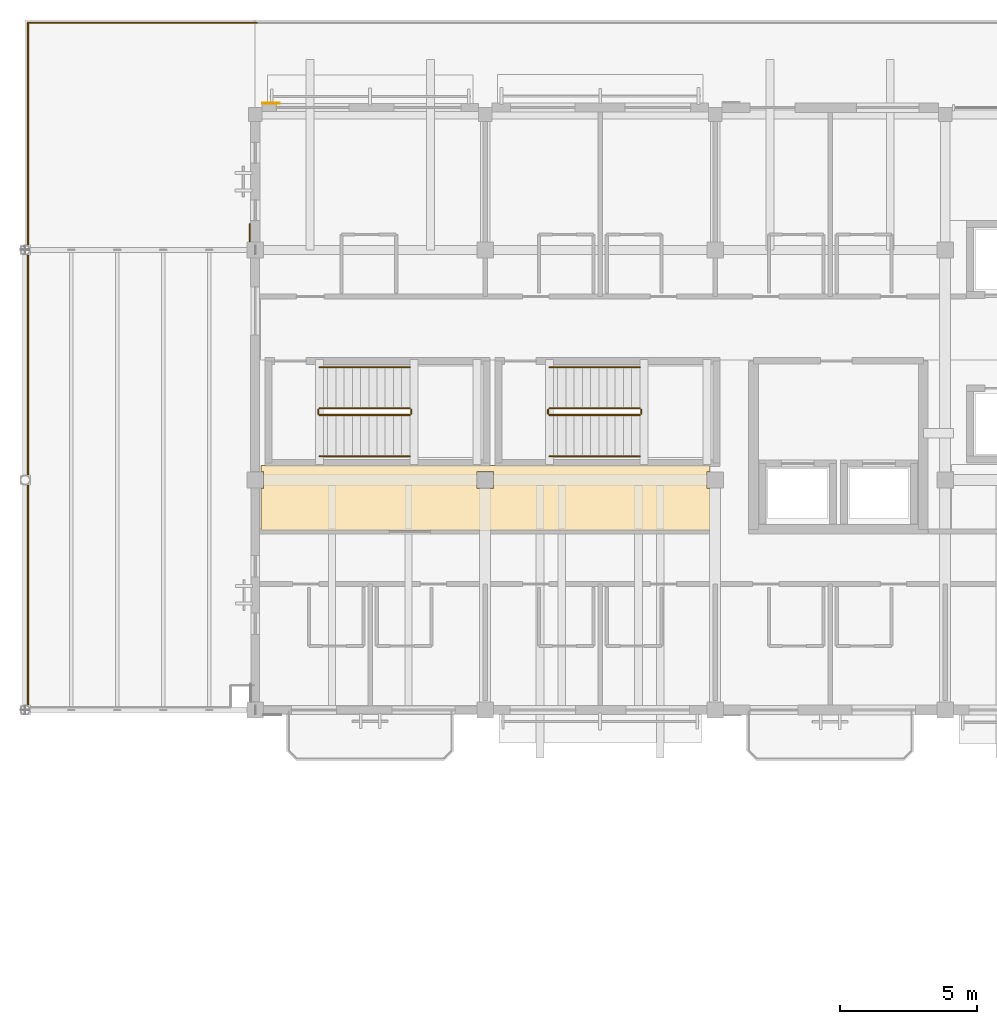
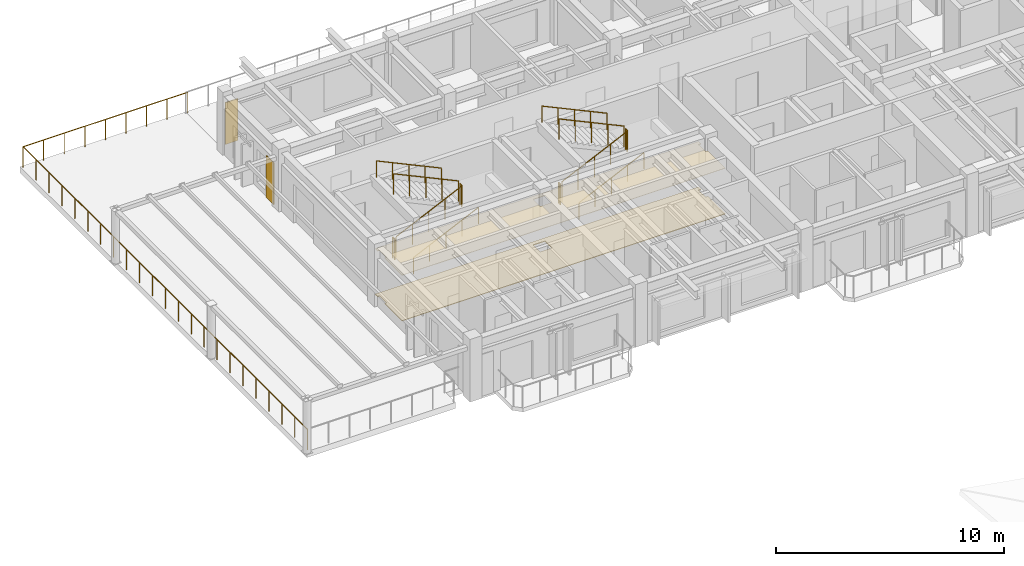
# One storey, part 19 of 22: 14 railings, 4 coverings.
"""IFC4 building model written with IfcOpenShell, lengths in metres."""

from ifc_helpers import new_model, si_unit, direction, frame, origin, origin_2d, place, context, subcontext, project, spatial, polyline, circle, outline, extrude, material, layer, layer_set, type_object, element, save


model = new_model("IFC4")

# Units and contexts
model_context = context("Model", 3, precision=1e-05, world=origin(), true_north=direction((0.0, 1.0)))
body_context = subcontext(model_context, "Body", "Model", "MODEL_VIEW")
ifc_project = project(units=[si_unit("LENGTHUNIT", "METRE"), si_unit("AREAUNIT", "SQUARE_METRE"), si_unit("VOLUMEUNIT", "CUBIC_METRE"), si_unit("PLANEANGLEUNIT", "RADIAN"), si_unit("MASSUNIT", "GRAM", prefix="KILO")], contexts=[model_context])

# Site, building, storey
site_placement = place(None, origin())
site = spatial("IfcSite", under=ifc_project, at=site_placement, CompositionType="ELEMENT")
building_placement = place(site_placement, origin())
building = spatial("IfcBuilding", under=site, at=building_placement, Name="Cumbredor Promenade Congress Hotel", CompositionType="ELEMENT")
storey_placement = place(building_placement, frame((0.0, 0.0, 28.56005859375)))
storey = spatial("IfcBuildingStorey", under=building, at=storey_placement, Name="L08", CompositionType="ELEMENT", Elevation=28.56005859375)

# Coverings
ifc_material_1 = material(Name="Acoustic mineral-fiber and gypsum ceiling")
ifc_layer_1 = layer(ifc_material_1, 0.02197265625, Name="Acoustic mineral-fiber and gypsum ceiling")
ifc_layer_set_1 = layer_set([ifc_layer_1], Name="Acoustic mineral-fiber and gypsum ceiling")
covering_type_1 = type_object("IfcCoveringType", Name="Acoustic Perforated Gypsum Ceiling CLG-02 22mm", PredefinedType="CEILING", material=ifc_layer_set_1)
covering_1_placement = place(storey_placement, frame((0.0, 0.0, 2.448974609375)))
element("IfcCovering", 1, at=covering_1_placement, inside=storey, type_object=covering_type_1, Name="L08 Sabana Delegates Study Salon Acoustic Ceiling", PredefinedType="CEILING", context=body_context, shape_type="SweptSolid", body=[
    extrude(outline(polyline([(25.02001953125, 101.10498046875), (24.89501953125, 101.10498046875), (24.89501953125, 100.4951171875), (25.02001953125, 100.4951171875), (25.02001953125, 98.9599609375), (8.610107421875, 98.9599609375), (8.610107421875, 100.4951171875), (8.705078125, 100.4951171875), (8.705078125, 101.10498046875), (8.610107421875, 101.10498046875), (8.610107421875, 101.320068359375), (25.02001953125, 101.320068359375), (25.02001953125, 101.10498046875)]), holes=[polyline([(16.4951171875, 101.10498046875), (16.4951171875, 100.4951171875), (17.10498046875, 100.4951171875), (17.10498046875, 101.10498046875), (16.4951171875, 101.10498046875)])]), origin(), (0.0, 0.0, 1.0), 0.02197265625),
])
ifc_material_2 = material(Name="Precast concrete C40/50", Category="concrete")
ifc_layer_2 = layer(ifc_material_2, 0.044921875, Name="Precast concrete C40/50", Category="concrete")
ifc_layer_set_2 = layer_set([ifc_layer_2], Name="Precast concrete C40/50")
covering_type_2 = type_object("IfcCoveringType", Name="Board-Formed Architectural Cladding Panel 45mm", PredefinedType="CLADDING", material=ifc_layer_set_2)
covering_2_placement = place(storey_placement, origin())
element("IfcCovering", 2, at=covering_2_placement, inside=storey, type_object=covering_type_2, Name="L08 Facade Stone Cladding Pier 240", PredefinedType="CLADDING", context=body_context, shape_type="SweptSolid", body=[
    extrude(outline(polyline([(8.22509765625, 109.5009765625), (8.22509765625, 110.15087890625), (8.179931640625, 110.15087890625), (8.179931640625, 109.5009765625), (8.22509765625, 109.5009765625)])), origin(), (0.0, 0.0, 1.0), 2.25),
])

# Railings
ifc_material_3 = material(Name="Brushed stainless steel", Category="steel")
railing_type_1 = type_object("IfcRailingType", Name="Interior Void & Stair Guardrail GR-1100", PredefinedType="GUARDRAIL", material=ifc_material_3)
railing_1_placement = place(storey_placement, frame((10.75, 103.169921875, 0.139892578125)))
element("IfcRailing", 3, at=railing_1_placement, inside=storey, type_object=railing_type_1, Name="L08 ST-01 stair guard 1", PredefinedType="GUARDRAIL", context=body_context, shape_type="SweptSolid", body=[
    extrude(circle(Radius=0.02392578125, at=origin_2d()), frame((0.0, 0.0, 1.09619140625), z_axis=(0.906181427284, 0.0, 0.422889135408), x_axis=(0.0, 1.0, 0.0)), (0.0, 0.0, 1.0), 3.6416015625),
    extrude(circle(Radius=0.02099609375, at=origin_2d()), origin(), (0.0, 0.0, 1.0), 1.072021484375),
    extrude(circle(Radius=0.02099609375, at=origin_2d()), frame((0.824951171875, 0.0, 0.385009765625)), (0.0, 0.0, 1.0), 1.072021484375),
    extrude(circle(Radius=0.02099609375, at=origin_2d()), frame((1.64990234375, 0.0, 0.77001953125)), (0.0, 0.0, 1.0), 1.072021484375),
    extrude(circle(Radius=0.02099609375, at=origin_2d()), frame((2.47509765625, 0.0, 1.155029296875)), (0.0, 0.0, 1.0), 1.072021484375),
    extrude(circle(Radius=0.02099609375, at=origin_2d()), frame((3.300048828125, 0.0, 1.5400390625)), (0.0, 0.0, 1.0), 1.072021484375),
])
railing_2_placement = place(storey_placement, frame((14.10009765625, 103.219970703125, 1.679931640625)))
element("IfcRailing", 4, at=railing_2_placement, inside=storey, type_object=railing_type_1, Name="L08 ST-01 stair guard 2", PredefinedType="GUARDRAIL", context=body_context, shape_type="SweptSolid", body=[
    extrude(circle(Radius=0.02392578125, at=origin_2d()), frame((0.0, 0.0, 1.09619140625), z_axis=(0.0, 1.0, 0.0), x_axis=(-1.0, 0.0, 0.0)), (0.0, 0.0, 1.0), 0.150146484375),
    extrude(circle(Radius=0.02099609375, at=origin_2d()), origin(), (0.0, 0.0, 1.0), 1.072021484375),
    extrude(circle(Radius=0.02099609375, at=origin_2d()), frame((0.0, 0.150146484375, 0.0)), (0.0, 0.0, 1.0), 1.072021484375),
])
railing_3_placement = place(storey_placement, frame((14.050048828125, 103.419921875, 1.81982421875)))
element("IfcRailing", 5, at=railing_3_placement, inside=storey, type_object=railing_type_1, Name="L08 ST-01 stair guard 3", PredefinedType="GUARDRAIL", context=body_context, shape_type="SweptSolid", body=[
    extrude(circle(Radius=0.02392578125, at=origin_2d()), frame((0.0, 0.0, 1.09619140625), z_axis=(-0.906181427284, 0.0, 0.422889135408), x_axis=(0.0, -1.0, 0.0)), (0.0, 0.0, 1.0), 3.6416015625),
    extrude(circle(Radius=0.02099609375, at=origin_2d()), origin(), (0.0, 0.0, 1.0), 1.072021484375),
    extrude(circle(Radius=0.02099609375, at=origin_2d()), frame((-0.824951171875, 0.0, 0.385009765625)), (0.0, 0.0, 1.0), 1.072021484375),
    extrude(circle(Radius=0.02099609375, at=origin_2d()), frame((-1.64990234375, 0.0, 0.77001953125)), (0.0, 0.0, 1.0), 1.072021484375),
    extrude(circle(Radius=0.02099609375, at=origin_2d()), frame((-2.47509765625, 0.0, 1.155029296875)), (0.0, 0.0, 1.0), 1.072021484375),
    extrude(circle(Radius=0.02099609375, at=origin_2d()), frame((-3.300048828125, 0.0, 1.5400390625)), (0.0, 0.0, 1.0), 1.072021484375),
])
railing_4_placement = place(storey_placement, frame((10.699951171875, 103.219970703125, 0.0)))
element("IfcRailing", 6, at=railing_4_placement, inside=storey, type_object=railing_type_1, Name="L08 ST-01 stair guard 4", PredefinedType="GUARDRAIL", context=body_context, shape_type="SweptSolid", body=[
    extrude(circle(Radius=0.02392578125, at=origin_2d()), frame((0.0, 0.0, 1.09619140625), z_axis=(0.0, 1.0, 0.0), x_axis=(-1.0, 0.0, 0.0)), (0.0, 0.0, 1.0), 0.150146484375),
    extrude(circle(Radius=0.02099609375, at=origin_2d()), origin(), (0.0, 0.0, 1.0), 1.072021484375),
    extrude(circle(Radius=0.02099609375, at=origin_2d()), frame((0.0, 0.150146484375, 0.0)), (0.0, 0.0, 1.0), 1.072021484375),
])
railing_5_placement = place(storey_placement, frame((19.14990234375, 103.169921875, 0.139892578125)))
element("IfcRailing", 7, at=railing_5_placement, inside=storey, type_object=railing_type_1, Name="L08 ST-02 stair guard 1", PredefinedType="GUARDRAIL", context=body_context, shape_type="SweptSolid", body=[
    extrude(circle(Radius=0.02392578125, at=origin_2d()), frame((0.0, 0.0, 1.09619140625), z_axis=(0.906181427284, 0.0, 0.422889135408), x_axis=(0.0, 1.0, 0.0)), (0.0, 0.0, 1.0), 3.6416015625),
    extrude(circle(Radius=0.02099609375, at=origin_2d()), origin(), (0.0, 0.0, 1.0), 1.072021484375),
    extrude(circle(Radius=0.02099609375, at=origin_2d()), frame((0.824951171875, 0.0, 0.385009765625)), (0.0, 0.0, 1.0), 1.072021484375),
    extrude(circle(Radius=0.02099609375, at=origin_2d()), frame((1.64990234375, 0.0, 0.77001953125)), (0.0, 0.0, 1.0), 1.072021484375),
    extrude(circle(Radius=0.02099609375, at=origin_2d()), frame((2.47509765625, 0.0, 1.155029296875)), (0.0, 0.0, 1.0), 1.072021484375),
    extrude(circle(Radius=0.02099609375, at=origin_2d()), frame((3.300048828125, 0.0, 1.5400390625)), (0.0, 0.0, 1.0), 1.072021484375),
])
railing_6_placement = place(storey_placement, frame((22.5, 103.219970703125, 1.679931640625)))
element("IfcRailing", 8, at=railing_6_placement, inside=storey, type_object=railing_type_1, Name="L08 ST-02 stair guard 2", PredefinedType="GUARDRAIL", context=body_context, shape_type="SweptSolid", body=[
    extrude(circle(Radius=0.02392578125, at=origin_2d()), frame((0.0, 0.0, 1.09619140625), z_axis=(0.0, 1.0, 0.0), x_axis=(-1.0, 0.0, 0.0)), (0.0, 0.0, 1.0), 0.150146484375),
    extrude(circle(Radius=0.02099609375, at=origin_2d()), origin(), (0.0, 0.0, 1.0), 1.072021484375),
    extrude(circle(Radius=0.02099609375, at=origin_2d()), frame((0.0, 0.150146484375, 0.0)), (0.0, 0.0, 1.0), 1.072021484375),
])
railing_7_placement = place(storey_placement, frame((22.449951171875, 103.419921875, 1.81982421875)))
element("IfcRailing", 9, at=railing_7_placement, inside=storey, type_object=railing_type_1, Name="L08 ST-02 stair guard 3", PredefinedType="GUARDRAIL", context=body_context, shape_type="SweptSolid", body=[
    extrude(circle(Radius=0.02392578125, at=origin_2d()), frame((0.0, 0.0, 1.09619140625), z_axis=(-0.906181427284, 0.0, 0.422889135408), x_axis=(0.0, -1.0, 0.0)), (0.0, 0.0, 1.0), 3.6416015625),
    extrude(circle(Radius=0.02099609375, at=origin_2d()), origin(), (0.0, 0.0, 1.0), 1.072021484375),
    extrude(circle(Radius=0.02099609375, at=origin_2d()), frame((-0.824951171875, 0.0, 0.385009765625)), (0.0, 0.0, 1.0), 1.072021484375),
    extrude(circle(Radius=0.02099609375, at=origin_2d()), frame((-1.64990234375, 0.0, 0.77001953125)), (0.0, 0.0, 1.0), 1.072021484375),
    extrude(circle(Radius=0.02099609375, at=origin_2d()), frame((-2.47509765625, 0.0, 1.155029296875)), (0.0, 0.0, 1.0), 1.072021484375),
    extrude(circle(Radius=0.02099609375, at=origin_2d()), frame((-3.300048828125, 0.0, 1.5400390625)), (0.0, 0.0, 1.0), 1.072021484375),
])
railing_8_placement = place(storey_placement, frame((19.10009765625, 103.219970703125, 0.0)))
element("IfcRailing", 10, at=railing_8_placement, inside=storey, type_object=railing_type_1, Name="L08 ST-02 stair guard 4", PredefinedType="GUARDRAIL", context=body_context, shape_type="SweptSolid", body=[
    extrude(circle(Radius=0.02392578125, at=origin_2d()), frame((0.0, 0.0, 1.09619140625), z_axis=(0.0, 1.0, 0.0), x_axis=(-1.0, 0.0, 0.0)), (0.0, 0.0, 1.0), 0.150146484375),
    extrude(circle(Radius=0.02099609375, at=origin_2d()), origin(), (0.0, 0.0, 1.0), 1.072021484375),
    extrude(circle(Radius=0.02099609375, at=origin_2d()), frame((0.0, 0.150146484375, 0.0)), (0.0, 0.0, 1.0), 1.072021484375),
])

# Covering
ifc_material_4 = material(Name="Porcelain stoneware tile", Category="masonry")
ifc_layer_3 = layer(ifc_material_4, 0.030029296875, Name="Porcelain stoneware tile", Category="masonry")
ifc_layer_set_3 = layer_set([ifc_layer_3], Name="Porcelain stoneware tile")
covering_type_3 = type_object("IfcCoveringType", Name="Porcelain Stoneware Flooring FLR-03 30mm", PredefinedType="FLOORING", material=ifc_layer_set_3)
covering_3_placement = place(storey_placement, origin())
element("IfcCovering", 11, at=covering_3_placement, inside=storey, type_object=covering_type_3, Name="L08 Sabana Delegates Study Salon Porcelain Flooring", PredefinedType="FLOORING", context=body_context, shape_type="SweptSolid", body=[
    extrude(outline(polyline([(25.02001953125, 101.10498046875), (24.89501953125, 101.10498046875), (24.89501953125, 100.4951171875), (25.02001953125, 100.4951171875), (25.02001953125, 98.9599609375), (8.610107421875, 98.9599609375), (8.610107421875, 100.4951171875), (8.705078125, 100.4951171875), (8.705078125, 101.10498046875), (8.610107421875, 101.10498046875), (8.610107421875, 101.320068359375), (25.02001953125, 101.320068359375), (25.02001953125, 101.10498046875)]), holes=[polyline([(16.4951171875, 101.10498046875), (16.4951171875, 100.4951171875), (17.10498046875, 100.4951171875), (17.10498046875, 101.10498046875), (16.4951171875, 101.10498046875)])]), origin(), (0.0, 0.0, 1.0), 0.030029296875),
])

# Railings
railing_type_2 = type_object("IfcRailingType", Name="Stair Pitch Handrail HR-900", PredefinedType="HANDRAIL", material=ifc_material_3)
railing_9_placement = place(storey_placement, frame((10.75, 101.669921875, 0.139892578125)))
element("IfcRailing", 12, at=railing_9_placement, inside=storey, type_object=railing_type_2, Name="L08 ST-01 stair handrail 1", PredefinedType="HANDRAIL", context=body_context, shape_type="SweptSolid", body=[
    extrude(circle(Radius=0.02392578125, at=origin_2d()), frame((0.0, 0.0, 0.8759765625), z_axis=(0.906181427284, 0.0, 0.422889135408), x_axis=(0.0, 1.0, 0.0)), (0.0, 0.0, 1.0), 3.6416015625),
    extrude(circle(Radius=0.02099609375, at=origin_2d()), origin(), (0.0, 0.0, 1.0), 0.851806640625),
    extrude(circle(Radius=0.02099609375, at=origin_2d()), frame((0.824951171875, 0.0, 0.385009765625)), (0.0, 0.0, 1.0), 0.851806640625),
    extrude(circle(Radius=0.02099609375, at=origin_2d()), frame((1.64990234375, 0.0, 0.77001953125)), (0.0, 0.0, 1.0), 0.851806640625),
    extrude(circle(Radius=0.02099609375, at=origin_2d()), frame((2.47509765625, 0.0, 1.155029296875)), (0.0, 0.0, 1.0), 0.851806640625),
    extrude(circle(Radius=0.02099609375, at=origin_2d()), frame((3.300048828125, 0.0, 1.5400390625)), (0.0, 0.0, 1.0), 0.851806640625),
])
railing_10_placement = place(storey_placement, frame((14.050048828125, 104.919921875, 1.81982421875)))
element("IfcRailing", 13, at=railing_10_placement, inside=storey, type_object=railing_type_2, Name="L08 ST-01 stair handrail 2", PredefinedType="HANDRAIL", context=body_context, shape_type="SweptSolid", body=[
    extrude(circle(Radius=0.02392578125, at=origin_2d()), frame((0.0, 0.0, 0.8759765625), z_axis=(-0.906181427284, 0.0, 0.422889135408), x_axis=(0.0, -1.0, 0.0)), (0.0, 0.0, 1.0), 3.6416015625),
    extrude(circle(Radius=0.02099609375, at=origin_2d()), origin(), (0.0, 0.0, 1.0), 0.851806640625),
    extrude(circle(Radius=0.02099609375, at=origin_2d()), frame((-0.824951171875, 0.0, 0.385009765625)), (0.0, 0.0, 1.0), 0.851806640625),
    extrude(circle(Radius=0.02099609375, at=origin_2d()), frame((-1.64990234375, 0.0, 0.77001953125)), (0.0, 0.0, 1.0), 0.851806640625),
    extrude(circle(Radius=0.02099609375, at=origin_2d()), frame((-2.47509765625, 0.0, 1.155029296875)), (0.0, 0.0, 1.0), 0.851806640625),
    extrude(circle(Radius=0.02099609375, at=origin_2d()), frame((-3.300048828125, 0.0, 1.5400390625)), (0.0, 0.0, 1.0), 0.851806640625),
])
railing_11_placement = place(storey_placement, frame((19.14990234375, 101.669921875, 0.139892578125)))
element("IfcRailing", 14, at=railing_11_placement, inside=storey, type_object=railing_type_2, Name="L08 ST-02 stair handrail 1", PredefinedType="HANDRAIL", context=body_context, shape_type="SweptSolid", body=[
    extrude(circle(Radius=0.02392578125, at=origin_2d()), frame((0.0, 0.0, 0.8759765625), z_axis=(0.906181427284, 0.0, 0.422889135408), x_axis=(0.0, 1.0, 0.0)), (0.0, 0.0, 1.0), 3.6416015625),
    extrude(circle(Radius=0.02099609375, at=origin_2d()), origin(), (0.0, 0.0, 1.0), 0.851806640625),
    extrude(circle(Radius=0.02099609375, at=origin_2d()), frame((0.824951171875, 0.0, 0.385009765625)), (0.0, 0.0, 1.0), 0.851806640625),
    extrude(circle(Radius=0.02099609375, at=origin_2d()), frame((1.64990234375, 0.0, 0.77001953125)), (0.0, 0.0, 1.0), 0.851806640625),
    extrude(circle(Radius=0.02099609375, at=origin_2d()), frame((2.47509765625, 0.0, 1.155029296875)), (0.0, 0.0, 1.0), 0.851806640625),
    extrude(circle(Radius=0.02099609375, at=origin_2d()), frame((3.300048828125, 0.0, 1.5400390625)), (0.0, 0.0, 1.0), 0.851806640625),
])
railing_12_placement = place(storey_placement, frame((22.449951171875, 104.919921875, 1.81982421875)))
element("IfcRailing", 15, at=railing_12_placement, inside=storey, type_object=railing_type_2, Name="L08 ST-02 stair handrail 2", PredefinedType="HANDRAIL", context=body_context, shape_type="SweptSolid", body=[
    extrude(circle(Radius=0.02392578125, at=origin_2d()), frame((0.0, 0.0, 0.8759765625), z_axis=(-0.906181427284, 0.0, 0.422889135408), x_axis=(0.0, -1.0, 0.0)), (0.0, 0.0, 1.0), 3.6416015625),
    extrude(circle(Radius=0.02099609375, at=origin_2d()), origin(), (0.0, 0.0, 1.0), 0.851806640625),
    extrude(circle(Radius=0.02099609375, at=origin_2d()), frame((-0.824951171875, 0.0, 0.385009765625)), (0.0, 0.0, 1.0), 0.851806640625),
    extrude(circle(Radius=0.02099609375, at=origin_2d()), frame((-1.64990234375, 0.0, 0.77001953125)), (0.0, 0.0, 1.0), 0.851806640625),
    extrude(circle(Radius=0.02099609375, at=origin_2d()), frame((-2.47509765625, 0.0, 1.155029296875)), (0.0, 0.0, 1.0), 0.851806640625),
    extrude(circle(Radius=0.02099609375, at=origin_2d()), frame((-3.300048828125, 0.0, 1.5400390625)), (0.0, 0.0, 1.0), 0.851806640625),
])
railing_type_3 = type_object("IfcRailingType", Name="Terrace Perimeter Balustrade BAL-1120", PredefinedType="BALUSTRADE", material=ifc_material_3)
railing_13_placement = place(storey_placement, frame((0.10009765625, 92.5, 0.0)))
element("IfcRailing", 16, at=railing_13_placement, inside=storey, type_object=railing_type_3, Name="L08 Hotel Step 3 West Sunset Sky Terrace Balustrade 71", PredefinedType="BALUSTRADE", context=body_context, shape_type="SweptSolid", body=[
    extrude(circle(Radius=0.02392578125, at=origin_2d()), frame((0.0, 0.0, 1.09619140625), z_axis=(0.0, 1.0, 0.0), x_axis=(-1.0, 0.0, 0.0)), (0.0, 0.0, 1.0), 25.0),
    extrude(circle(Radius=0.02099609375, at=origin_2d()), origin(), (0.0, 0.0, 1.0), 1.072021484375),
    extrude(circle(Radius=0.02099609375, at=origin_2d()), frame((0.0, 1.136474609375, 0.0)), (0.0, 0.0, 1.0), 1.072021484375),
    extrude(circle(Radius=0.02099609375, at=origin_2d()), frame((0.0, 2.272705078125, 0.0)), (0.0, 0.0, 1.0), 1.072021484375),
    extrude(circle(Radius=0.02099609375, at=origin_2d()), frame((0.0, 3.4091796875, 0.0)), (0.0, 0.0, 1.0), 1.072021484375),
    extrude(circle(Radius=0.02099609375, at=origin_2d()), frame((0.0, 4.54541015625, 0.0)), (0.0, 0.0, 1.0), 1.072021484375),
    extrude(circle(Radius=0.02099609375, at=origin_2d()), frame((0.0, 5.681884765625, 0.0)), (0.0, 0.0, 1.0), 1.072021484375),
    extrude(circle(Radius=0.02099609375, at=origin_2d()), frame((0.0, 6.818115234375, 0.0)), (0.0, 0.0, 1.0), 1.072021484375),
    extrude(circle(Radius=0.02099609375, at=origin_2d()), frame((0.0, 7.95458984375, 0.0)), (0.0, 0.0, 1.0), 1.072021484375),
    extrude(circle(Radius=0.02099609375, at=origin_2d()), frame((0.0, 9.0908203125, 0.0)), (0.0, 0.0, 1.0), 1.072021484375),
    extrude(circle(Radius=0.02099609375, at=origin_2d()), frame((0.0, 10.227294921875, 0.0)), (0.0, 0.0, 1.0), 1.072021484375),
    extrude(circle(Radius=0.02099609375, at=origin_2d()), frame((0.0, 11.363525390625, 0.0)), (0.0, 0.0, 1.0), 1.072021484375),
    extrude(circle(Radius=0.02099609375, at=origin_2d()), frame((0.0, 12.5, 0.0)), (0.0, 0.0, 1.0), 1.072021484375),
    extrude(circle(Radius=0.02099609375, at=origin_2d()), frame((0.0, 13.636474609375, 0.0)), (0.0, 0.0, 1.0), 1.072021484375),
    extrude(circle(Radius=0.02099609375, at=origin_2d()), frame((0.0, 14.772705078125, 0.0)), (0.0, 0.0, 1.0), 1.072021484375),
    extrude(circle(Radius=0.02099609375, at=origin_2d()), frame((0.0, 15.9091796875, 0.0)), (0.0, 0.0, 1.0), 1.072021484375),
    extrude(circle(Radius=0.02099609375, at=origin_2d()), frame((0.0, 17.04541015625, 0.0)), (0.0, 0.0, 1.0), 1.072021484375),
    extrude(circle(Radius=0.02099609375, at=origin_2d()), frame((0.0, 18.181884765625, 0.0)), (0.0, 0.0, 1.0), 1.072021484375),
    extrude(circle(Radius=0.02099609375, at=origin_2d()), frame((0.0, 19.318115234375, 0.0)), (0.0, 0.0, 1.0), 1.072021484375),
    extrude(circle(Radius=0.02099609375, at=origin_2d()), frame((0.0, 20.45458984375, 0.0)), (0.0, 0.0, 1.0), 1.072021484375),
    extrude(circle(Radius=0.02099609375, at=origin_2d()), frame((0.0, 21.5908203125, 0.0)), (0.0, 0.0, 1.0), 1.072021484375),
    extrude(circle(Radius=0.02099609375, at=origin_2d()), frame((0.0, 22.727294921875, 0.0)), (0.0, 0.0, 1.0), 1.072021484375),
    extrude(circle(Radius=0.02099609375, at=origin_2d()), frame((0.0, 23.863525390625, 0.0)), (0.0, 0.0, 1.0), 1.072021484375),
    extrude(circle(Radius=0.02099609375, at=origin_2d()), frame((0.0, 25.0, 0.0)), (0.0, 0.0, 1.0), 1.072021484375),
])
railing_14_placement = place(storey_placement, frame((0.10009765625, 117.5, 0.0)))
element("IfcRailing", 17, at=railing_14_placement, inside=storey, type_object=railing_type_3, Name="L08 Hotel Step 3 West Sunset Sky Terrace Balustrade 75", PredefinedType="BALUSTRADE", context=body_context, shape_type="SweptSolid", body=[
    extrude(circle(Radius=0.02392578125, at=origin_2d()), frame((0.0, 0.0, 1.09619140625), z_axis=(1.0, 0.0, 0.0), x_axis=(0.0, 1.0, 0.0)), (0.0, 0.0, 1.0), 8.349853515625),
    extrude(circle(Radius=0.02099609375, at=origin_2d()), origin(), (0.0, 0.0, 1.0), 1.072021484375),
    extrude(circle(Radius=0.02099609375, at=origin_2d()), frame((1.043701171875, 0.0, 0.0)), (0.0, 0.0, 1.0), 1.072021484375),
    extrude(circle(Radius=0.02099609375, at=origin_2d()), frame((2.08740234375, 0.0, 0.0)), (0.0, 0.0, 1.0), 1.072021484375),
    extrude(circle(Radius=0.02099609375, at=origin_2d()), frame((3.131103515625, 0.0, 0.0)), (0.0, 0.0, 1.0), 1.072021484375),
    extrude(circle(Radius=0.02099609375, at=origin_2d()), frame((4.1748046875, 0.0, 0.0)), (0.0, 0.0, 1.0), 1.072021484375),
    extrude(circle(Radius=0.02099609375, at=origin_2d()), frame((5.21875, 0.0, 0.0)), (0.0, 0.0, 1.0), 1.072021484375),
    extrude(circle(Radius=0.02099609375, at=origin_2d()), frame((6.262451171875, 0.0, 0.0)), (0.0, 0.0, 1.0), 1.072021484375),
    extrude(circle(Radius=0.02099609375, at=origin_2d()), frame((7.30615234375, 0.0, 0.0)), (0.0, 0.0, 1.0), 1.072021484375),
    extrude(circle(Radius=0.02099609375, at=origin_2d()), frame((8.349853515625, 0.0, 0.0)), (0.0, 0.0, 1.0), 1.072021484375),
])

# Covering
ifc_material_5 = material(Name="Volcanic andesite ashlar cladding", Category="masonry")
ifc_layer_4 = layer(ifc_material_5, 0.034912109375, Name="Volcanic andesite ashlar cladding", Category="masonry")
ifc_layer_set_4 = layer_set([ifc_layer_4], Name="Volcanic andesite ashlar cladding")
covering_type_4 = type_object("IfcCoveringType", Name="Volcanic Andesite Ashlar Rainscreen Cladding 35mm", PredefinedType="CLADDING", material=ifc_layer_set_4)
covering_4_placement = place(storey_placement, origin())
element("IfcCovering", 18, at=covering_4_placement, inside=storey, type_object=covering_type_4, Name="L08 Facade Stone Cladding Pier 235", PredefinedType="CLADDING", context=body_context, shape_type="SweptSolid", body=[
    extrude(outline(polyline([(8.65087890625, 114.550048828125), (9.301025390625, 114.550048828125), (9.301025390625, 114.5849609375), (8.65087890625, 114.5849609375), (8.65087890625, 114.550048828125)])), origin(), (0.0, 0.0, 1.0), 2.25),
])

save(model, "model.ifc")
